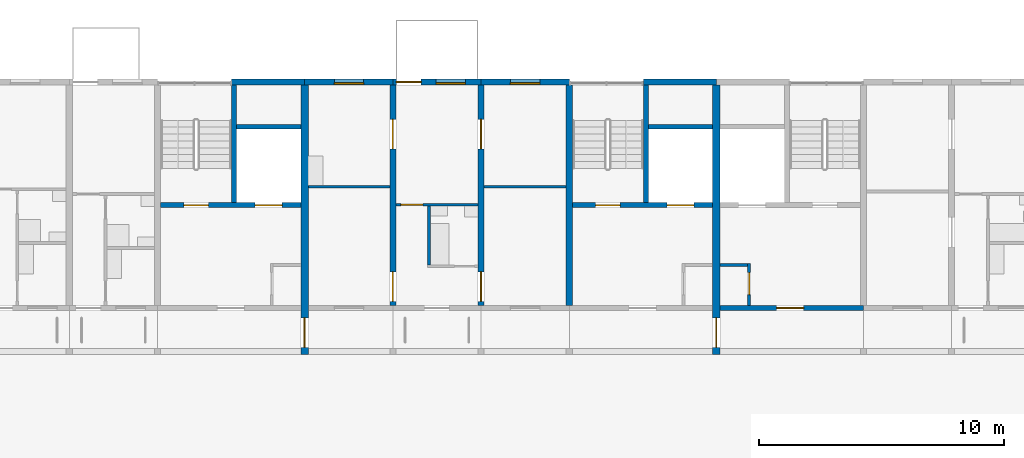
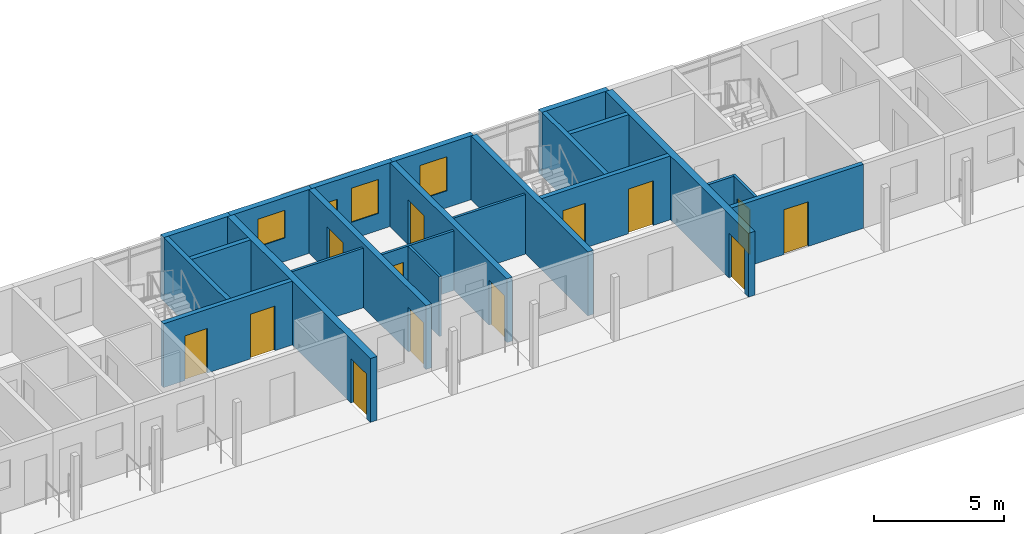
# One storey, part 45 of 115: 23 walls, 14 doors, 3 windows, 17 openings.
"""IFC4 building model written with IfcOpenShell, lengths in metres."""

import ifcopenshell
import ifcopenshell.guid

model = None  # the IFC model being written
_history = None  # IfcOwnerHistory: only IFC2X3 demands one
_inside = {}  # id of a spatial element -> (the spatial element, [elements in it])
_under = {}  # id of a project, library or spatial element -> (it, [spatial elements below it])
_declared = {}  # id of a project -> (the project, [libraries it declares])
_typed = {}  # id of a type object -> (the type object, [elements of that type])
_made_of = {}  # id of a material, layer set ... -> (it, [elements and type objects made of it])


def new_model(schema):
    """Start an empty IFC model of exactly this schema.

    Asked for "IFC4X3", IfcOpenShell would pick the latest addendum, in which some entities
    have other attributes; the version numbers below select the first issue.
    IFC2X3 requires an IfcOwnerHistory on every rooted entity: one is made here for all.
    """
    global model, _history
    if schema == "IFC4X3":
        model = ifcopenshell.file(schema_version=(4, 3, 0, 0))
    else:
        model = ifcopenshell.file(schema=schema)
    _inside.clear()
    _under.clear()
    _declared.clear()
    _typed.clear()
    _made_of.clear()
    _history = None
    if model.schema == "IFC2X3":
        org = make("IfcOrganization", Name="unknown")
        user = make(
            "IfcPersonAndOrganization",
            ThePerson=make("IfcPerson", FamilyName="unknown"),
            TheOrganization=org,
        )
        app = make(
            "IfcApplication",
            ApplicationDeveloper=org,
            Version="unknown",
            ApplicationFullName="unknown",
            ApplicationIdentifier="unknown",
        )
        _history = make(
            "IfcOwnerHistory",
            OwningUser=user,
            OwningApplication=app,
            ChangeAction="ADDED",
            CreationDate=0,
        )
    return model


def make(cls, **values):
    """One entity of the class cls with the attributes given. An attribute that is None is left unset."""
    return model.create_entity(
        cls, **{name: value for name, value in values.items() if value is not None}
    )


def rooted(cls, **values):
    """An entity with a GlobalId (a new one), such as an element, a storey or a relation."""
    return make(cls, GlobalId=ifcopenshell.guid.new(), OwnerHistory=_history, **values)


def si_unit(unit_type, name, prefix=None):
    """IfcSIUnit, for example si_unit("LENGTHUNIT", "METRE", prefix="MILLI")."""
    return make("IfcSIUnit", UnitType=unit_type, Prefix=prefix, Name=name)


def assignment(units):
    """IfcUnitAssignment: the units of a project."""
    return None if units is None else make("IfcUnitAssignment", Units=units)


def point(xyz):
    """IfcCartesianPoint."""
    return None if xyz is None else make("IfcCartesianPoint", Coordinates=xyz)


def direction(xyz):
    """IfcDirection."""
    return None if xyz is None else make("IfcDirection", DirectionRatios=xyz)


def frame(location, z_axis=None, x_axis=None):
    """IfcAxis2Placement3D, a coordinate frame: its origin and axes. An axis left out is left unset."""
    return make(
        "IfcAxis2Placement3D",
        Location=point(location),
        Axis=direction(z_axis),
        RefDirection=direction(x_axis),
    )


def frame_2d(location, x_axis=None):
    """IfcAxis2Placement2D, a coordinate frame in the plane: its origin and x axis."""
    return make(
        "IfcAxis2Placement2D", Location=point(location), RefDirection=direction(x_axis)
    )


def origin():
    """The frame at (0, 0, 0) with its axes left unset."""
    return frame((0.0, 0.0, 0.0))


def place(relative_to, where):
    """IfcLocalPlacement: puts the frame where relative to a parent placement (None: the world)."""
    return make(
        "IfcLocalPlacement", PlacementRelTo=relative_to, RelativePlacement=where
    )


def context(
    kind, dimensions, precision=None, world=None, true_north=None, identifier=None
):
    """IfcGeometricRepresentationContext, for example the 3D "Model" context."""
    return make(
        "IfcGeometricRepresentationContext",
        ContextIdentifier=identifier,
        ContextType=kind,
        CoordinateSpaceDimension=dimensions,
        Precision=precision,
        WorldCoordinateSystem=world,
        TrueNorth=true_north,
    )


def subcontext(parent, identifier, kind, view, scale=None):
    """IfcGeometricRepresentationSubContext, for example "Body" below "Model"."""
    return make(
        "IfcGeometricRepresentationSubContext",
        ContextIdentifier=identifier,
        ContextType=kind,
        ParentContext=parent,
        TargetScale=scale,
        TargetView=view,
    )


def project(units=None, contexts=None):
    """IfcProject with its units and contexts."""
    return rooted(
        "IfcProject",
        Name="project",
        RepresentationContexts=contexts,
        UnitsInContext=assignment(units),
    )


def spatial(cls, under=None, at=None, **own):
    """A site, building, storey or space (cls), placed at a placement, below another one or the project."""
    s = rooted(cls, ObjectPlacement=at, **own)
    if under is not None:
        _under.setdefault(under.id(), (under, []))[1].append(s)
    return s


def profile(cls, at=None, kind="AREA", **sizes):
    """A parametric profile (cls). Its sizes go by their IFC names, for example OverallWidth=200.0."""
    return make(cls, ProfileType=kind, Position=at, **sizes)


def rectangle(**sizes):
    """IfcRectangleProfileDef."""
    return profile("IfcRectangleProfileDef", **sizes)


def extrude(swept, where, along, depth):
    """IfcExtrudedAreaSolid: the profile swept, set in the frame where, extruded along a direction by depth."""
    return make(
        "IfcExtrudedAreaSolid",
        SweptArea=swept,
        Position=where,
        ExtrudedDirection=direction(along),
        Depth=depth,
    )


def shape(context_of_items, identifier, shape_type, items):
    """IfcShapeRepresentation: the items that make up one representation, for example the "Body"."""
    return make(
        "IfcShapeRepresentation",
        ContextOfItems=context_of_items,
        RepresentationIdentifier=identifier,
        RepresentationType=shape_type,
        Items=items,
    )


def material(Name=None, Category=None):
    """IfcMaterial."""
    return make("IfcMaterial", Name=Name, Category=Category)


def layer(
    of_material, thickness, ventilated=None, Name=None, Category=None, Priority=None
):
    """IfcMaterialLayer: one layer of a wall or slab, of a material (None: an air gap)."""
    return make(
        "IfcMaterialLayer",
        Material=of_material,
        LayerThickness=thickness,
        IsVentilated=ventilated,
        Name=Name,
        Category=Category,
        Priority=Priority,
    )


def layer_set(layers, Name=None):
    """IfcMaterialLayerSet."""
    return make("IfcMaterialLayerSet", MaterialLayers=layers, LayerSetName=Name)


def made_of(thing, what):
    """Note that an element or type object is made of a material, layer set ...; save() writes the relation."""
    if what is not None:
        _made_of.setdefault(what.id(), (what, []))[1].append(thing)
    return thing


def type_object(cls, material=None, **own):
    """A type object (cls), such as IfcWallType, which elements share."""
    return made_of(rooted(cls, **own), material)


def element(
    cls,
    number,
    at=None,
    inside=None,
    cuts=None,
    type_object=None,
    material=None,
    context=None,
    identifier="Body",
    shape_type=None,
    held_by="IfcProductDefinitionShape",
    body=None,
    shapes=None,
    **own,
):
    """One element of the class cls, such as IfcWall. Its Tag is "e" and its number.

    at: its placement. inside: the storey or other place that contains it. cuts: it is an
    opening in that element (IfcRelVoidsElement). A single representation is given by context,
    identifier, shape_type and body (its items); several are given by shapes. held_by: the class
    of the entity that holds the representations. save() writes the other relations.
    """
    e = rooted(cls, Tag="e%d" % number, ObjectPlacement=at, **own)
    if body is not None:
        shapes = [shape(context, identifier, shape_type, body)]
    if shapes is not None:
        e.Representation = make(held_by, Representations=shapes)
    if inside is not None:
        _inside.setdefault(inside.id(), (inside, []))[1].append(e)
    if cuts is not None:
        rooted(
            "IfcRelVoidsElement", RelatingBuildingElement=cuts, RelatedOpeningElement=e
        )
    if type_object is not None:
        _typed.setdefault(type_object.id(), (type_object, []))[1].append(e)
    return made_of(e, material)


def fill(opening, filler):
    """IfcRelFillsElement: the door or window that sits in an opening."""
    return rooted(
        "IfcRelFillsElement",
        RelatingOpeningElement=opening,
        RelatedBuildingElement=filler,
    )


def aggregate(whole, parts):
    """IfcRelAggregates: a whole, such as a stair, and the parts it consists of."""
    return rooted("IfcRelAggregates", RelatingObject=whole, RelatedObjects=parts)


def save(model, path):
    """Write the relations noted so far, then the file.

    IfcRelAggregates (storeys below a building ...), IfcRelContainedInSpatialStructure (elements
    in a storey), IfcRelDefinesByType, IfcRelAssociatesMaterial and IfcRelDeclares: one each for
    every whole, place, type object, material and project.
    """
    for whole, parts in _under.values():
        aggregate(whole, parts)
    for where, things in _inside.values():
        rooted(
            "IfcRelContainedInSpatialStructure",
            RelatedElements=things,
            RelatingStructure=where,
        )
    for kind, things in _typed.values():
        rooted("IfcRelDefinesByType", RelatedObjects=things, RelatingType=kind)
    for what, things in _made_of.values():
        rooted("IfcRelAssociatesMaterial", RelatedObjects=things, RelatingMaterial=what)
    for by, libraries in _declared.values():
        rooted("IfcRelDeclares", RelatingContext=by, RelatedDefinitions=libraries)
    model.write(path)


model = new_model("IFC4")

# Units and contexts
model_context = context("Model", 3, precision=1e-05, world=origin(), true_north=direction((0.0, 1.0)))
body_context = subcontext(model_context, "Body", "Model", "MODEL_VIEW")
ifc_project = project(units=[si_unit("LENGTHUNIT", "METRE"), si_unit("AREAUNIT", "SQUARE_METRE"), si_unit("VOLUMEUNIT", "CUBIC_METRE"), si_unit("PLANEANGLEUNIT", "RADIAN"), si_unit("MASSUNIT", "GRAM", prefix="KILO")], contexts=[model_context])

# Site, building, storey
site_placement = place(None, origin())
site = spatial("IfcSite", under=ifc_project, at=site_placement, CompositionType="ELEMENT")
building_placement = place(site_placement, origin())
building = spatial("IfcBuilding", under=site, at=building_placement, Name="Ridgestep Commons", CompositionType="ELEMENT")
storey_placement = place(building_placement, frame((0.0, 0.0, 6.0)))
storey = spatial("IfcBuildingStorey", under=building, at=storey_placement, Name="L02", CompositionType="ELEMENT", Elevation=6.0)

# Wall
ifc_material_1 = material(Name="Concrete C30/37", Category="concrete")
ifc_layer_1 = layer(ifc_material_1, 0.25)
ifc_layer_set_1 = layer_set([ifc_layer_1], Name="Core cross wall 250")
wall_type_1 = type_object("IfcWallType", Name="Core cross wall 250", PredefinedType="SHEAR", material=ifc_layer_set_1)
wall_1_placement = place(storey_placement, frame((90.0, 13.75, 0.0), z_axis=(0.0, 0.0, 1.0), x_axis=(0.0, 1.0, 0.0)))
element("IfcWall", 1, at=wall_1_placement, inside=storey, type_object=wall_type_1, Name="Cross wall A-02-0900", PredefinedType="SHEAR", context=body_context, shape_type="SweptSolid", body=[
    extrude(rectangle(XDim=9.0, YDim=0.25, at=frame_2d((4.5, 0.0))), origin(), (0.0, 0.0, 1.0), 3.0),
])

# Wall, opening, door
ifc_material_2 = material(Name="Concrete C30/37", Category="concrete")
ifc_layer_2 = layer(ifc_material_2, 0.199951171875)
ifc_layer_set_2 = layer_set([ifc_layer_2], Name="Core south wall 200")
wall_type_2 = type_object("IfcWallType", Name="Core south wall 200", PredefinedType="SHEAR", material=ifc_layer_set_2)
wall_2_placement = place(storey_placement, frame((96.14990234375, 13.64990234375, 0.0), z_axis=(0.0, 0.0, 1.0), x_axis=(1.0, 0.0, 0.0)))
wall_2 = element("IfcWall", 2, at=wall_2_placement, inside=storey, type_object=wall_type_2, Name="Core south wall A6C L02", PredefinedType="SHEAR", context=body_context, shape_type="SweptSolid", body=[
    extrude(rectangle(XDim=5.85009765625, YDim=0.199951171875, at=frame_2d((2.925048828125, 0.0))), origin(), (0.0, 0.0, 1.0), 3.0),
])
opening_1_placement = place(wall_2_placement, frame((2.3125, 0.0, 0.0)))
opening_1 = element("IfcOpeningElement", 3, at=opening_1_placement, cuts=wall_2, Name="Opening A6C/02/1", PredefinedType="OPENING", context=body_context, shape_type="SweptSolid", body=[
    extrude(rectangle(XDim=1.10009765625, YDim=2.10009765625, at=frame_2d((0.550048828125, 1.050048828125))), frame((0.0, 0.10986328125, 0.0), z_axis=(0.0, -1.0, 0.0), x_axis=(1.0, 0.0, 0.0)), (0.0, 0.0, 1.0), 0.219970703125),
])
ifc_material_3 = material(Name="Steel fire door", Category="steel")
door_type_1 = type_object("IfcDoorType", Name="Lobby door 1100 x 2100 FD60", OperationType="NOTDEFINED", PredefinedType="DOOR", material=ifc_material_3)
door_1_placement = place(opening_1_placement, origin())
door_1 = element("IfcDoor", 4, at=door_1_placement, inside=storey, type_object=door_type_1, Name="Lobby door A6C/02/1", OperationType="SINGLE_SWING_LEFT", OverallHeight=2.10009765625, OverallWidth=1.10009765625, PredefinedType="DOOR", context=body_context, shape_type="SweptSolid", body=[
    extrude(rectangle(XDim=1.10009765625, YDim=2.10009765625, at=frame_2d((0.550048828125, 1.050048828125))), frame((0.0, 0.02490234375, 0.0), z_axis=(0.0, -1.0, 0.0), x_axis=(1.0, 0.0, 0.0)), (0.0, 0.0, 1.0), 0.050048828125),
])
fill(opening_1, door_1)

ifc_material_4 = material(Name="Concrete C30/37", Category="concrete")
ifc_layer_3 = layer(ifc_material_4, 0.1201171875)
ifc_layer_set_3 = layer_set([ifc_layer_3], Name="Core wall 120")
wall_type_3 = type_object("IfcWallType", Name="Core wall 120", PredefinedType="SHEAR", material=ifc_layer_set_3)
wall_3_placement = place(storey_placement, frame((97.340087890625, 13.75, 0.0), z_axis=(0.0, 0.0, 1.0), x_axis=(0.0, 1.0, 0.0)))
wall_3 = element("IfcWall", 5, at=wall_3_placement, inside=storey, type_object=wall_type_3, Name="Core riser w wall A6C L02", PredefinedType="SHEAR", context=body_context, shape_type="SweptSolid", body=[
    extrude(rectangle(XDim=1.719970703125, YDim=0.1201171875, at=frame_2d((0.85986328125, 0.0))), origin(), (0.0, 0.0, 1.0), 3.0),
])
opening_2_placement = place(wall_3_placement, frame((0.449951171875, 0.0, 0.0)))
opening_2 = element("IfcOpeningElement", 6, at=opening_2_placement, cuts=wall_3, Name="Opening A6C/02/4", PredefinedType="OPENING", context=body_context, shape_type="SweptSolid", body=[
    extrude(rectangle(XDim=0.89990234375, YDim=2.10009765625, at=frame_2d((0.449951171875, 1.050048828125))), frame((0.0, 0.070068359375, 0.0), z_axis=(0.0, -1.0, 0.0), x_axis=(1.0, 0.0, 0.0)), (0.0, 0.0, 1.0), 0.14013671875),
])
ifc_material_5 = material(Name="Steel fire door", Category="steel")
door_type_2 = type_object("IfcDoorType", Name="Riser door 900 x 2100 FD60", OperationType="NOTDEFINED", PredefinedType="DOOR", material=ifc_material_5)
door_2_placement = place(opening_2_placement, origin())
door_2 = element("IfcDoor", 7, at=door_2_placement, inside=storey, type_object=door_type_2, Name="Riser door A6C/02/4", OperationType="SINGLE_SWING_RIGHT", OverallHeight=2.10009765625, OverallWidth=0.89990234375, PredefinedType="DOOR", context=body_context, shape_type="SweptSolid", body=[
    extrude(rectangle(XDim=0.89990234375, YDim=2.10009765625, at=frame_2d((0.449951171875, 1.050048828125))), frame((0.0, 0.02490234375, 0.0), z_axis=(0.0, -1.0, 0.0), x_axis=(1.0, 0.0, 0.0)), (0.0, 0.0, 1.0), 0.050048828125),
])
fill(opening_2, door_2)

# Wall
wall_4_placement = place(storey_placement, frame((96.14990234375, 15.409912109375, 0.0), z_axis=(0.0, 0.0, 1.0), x_axis=(1.0, 0.0, 0.0)))
element("IfcWall", 8, at=wall_4_placement, inside=storey, type_object=wall_type_3, Name="Core riser n wall A6C L02", PredefinedType="SHEAR", context=body_context, shape_type="SweptSolid", body=[
    extrude(rectangle(XDim=1.130126953125, YDim=0.1201171875, at=frame_2d((0.56494140625, 0.0))), origin(), (0.0, 0.0, 1.0), 3.0),
])

# Wall, openings, doors
ifc_material_6 = material(Name="Concrete C30/37", Category="concrete")
ifc_layer_4 = layer(ifc_material_6, 0.199951171875)
ifc_layer_set_4 = layer_set([ifc_layer_4], Name="Core wall 200")
wall_type_4 = type_object("IfcWallType", Name="Core wall 200", PredefinedType="SHEAR", material=ifc_layer_set_4)
wall_5_placement = place(storey_placement, frame((73.324951171875, 17.85009765625, 0.0), z_axis=(0.0, 0.0, 1.0), x_axis=(1.0, 0.0, 0.0)))
wall_5 = element("IfcWall", 9, at=wall_5_placement, inside=storey, type_object=wall_type_4, Name="Core lobby wall A4C L02", PredefinedType="SHEAR", context=body_context, shape_type="SweptSolid", body=[
    extrude(rectangle(XDim=5.72509765625, YDim=0.199951171875, at=frame_2d((2.862548828125, 0.0))), origin(), (0.0, 0.0, 1.0), 3.0),
])
opening_3_placement = place(wall_5_placement, frame((0.949951171875, 0.0, 0.0)))
opening_3 = element("IfcOpeningElement", 10, at=opening_3_placement, cuts=wall_5, Name="Opening A4C/02/2", PredefinedType="OPENING", context=body_context, shape_type="SweptSolid", body=[
    extrude(rectangle(XDim=1.0, YDim=2.10009765625, at=frame_2d((0.5, 1.050048828125))), frame((0.0, 0.10986328125, 0.0), z_axis=(0.0, -1.0, 0.0), x_axis=(1.0, 0.0, 0.0)), (0.0, 0.0, 1.0), 0.219970703125),
])
opening_4_placement = place(wall_5_placement, frame((3.862548828125, 0.0, 0.0)))
opening_4 = element("IfcOpeningElement", 11, at=opening_4_placement, cuts=wall_5, Name="Opening A4C/02/3", PredefinedType="OPENING", context=body_context, shape_type="SweptSolid", body=[
    extrude(rectangle(XDim=1.10009765625, YDim=2.10009765625, at=frame_2d((0.550048828125, 1.050048828125))), frame((0.0, 0.10986328125, 0.0), z_axis=(0.0, -1.0, 0.0), x_axis=(1.0, 0.0, 0.0)), (0.0, 0.0, 1.0), 0.219970703125),
])
ifc_material_7 = material(Name="Stainless steel", Category="steel")
door_type_3 = type_object("IfcDoorType", Name="Lift landing door 1100 x 2100 FD60", OperationType="DOUBLE_DOOR_SLIDING", PredefinedType="DOOR", material=ifc_material_7)
door_3_placement = place(opening_4_placement, origin())
door_3 = element("IfcDoor", 12, at=door_3_placement, inside=storey, type_object=door_type_3, Name="Landing door LD A4C L02", OperationType="DOUBLE_DOOR_SLIDING", OverallHeight=2.10009765625, OverallWidth=1.10009765625, PredefinedType="DOOR", context=body_context, shape_type="SweptSolid", body=[
    extrude(rectangle(XDim=1.10009765625, YDim=2.10009765625, at=frame_2d((0.550048828125, 1.050048828125))), frame((0.0, 0.02490234375, 0.0), z_axis=(0.0, -1.0, 0.0), x_axis=(1.0, 0.0, 0.0)), (0.0, 0.0, 1.0), 0.050048828125),
])
fill(opening_4, door_3)
ifc_material_8 = material(Name="Steel fire door", Category="steel")
door_type_4 = type_object("IfcDoorType", Name="Stair door 1000 x 2100 FD60", OperationType="NOTDEFINED", PredefinedType="DOOR", material=ifc_material_8)
door_4_placement = place(opening_3_placement, origin())
door_4 = element("IfcDoor", 13, at=door_4_placement, inside=storey, type_object=door_type_4, Name="Stair door A4C/02/2", OperationType="SINGLE_SWING_RIGHT", OverallHeight=2.10009765625, OverallWidth=1.0, PredefinedType="DOOR", context=body_context, shape_type="SweptSolid", body=[
    extrude(rectangle(XDim=1.0, YDim=2.10009765625, at=frame_2d((0.5, 1.050048828125))), frame((0.0, 0.02490234375, 0.0), z_axis=(0.0, -1.0, 0.0), x_axis=(1.0, 0.0, 0.0)), (0.0, 0.0, 1.0), 0.050048828125),
])
fill(opening_3, door_4)

# Walls
wall_6_placement = place(storey_placement, frame((76.324951171875, 17.949951171875, 0.0), z_axis=(0.0, 0.0, 1.0), x_axis=(0.0, 1.0, 0.0)))
element("IfcWall", 14, at=wall_6_placement, inside=storey, type_object=wall_type_4, Name="Core stair wall A4C L02", PredefinedType="SHEAR", context=body_context, shape_type="SweptSolid", body=[
    extrude(rectangle(XDim=4.800048828125, YDim=0.199951171875, at=frame_2d((2.39990234375, 0.0))), origin(), (0.0, 0.0, 1.0), 3.0),
])
wall_7_placement = place(storey_placement, frame((76.425048828125, 21.050048828125, 0.0), z_axis=(0.0, 0.0, 1.0), x_axis=(1.0, 0.0, 0.0)))
element("IfcWall", 15, at=wall_7_placement, inside=storey, type_object=wall_type_4, Name="Core duct wall A4C L02", PredefinedType="SHEAR", context=body_context, shape_type="SweptSolid", body=[
    extrude(rectangle(XDim=2.625, YDim=0.199951171875, at=frame_2d((1.3125, 0.0))), origin(), (0.0, 0.0, 1.0), 3.0),
])

# Wall, openings, doors
wall_8_placement = place(storey_placement, frame((90.125, 17.85009765625, 0.0), z_axis=(0.0, 0.0, 1.0), x_axis=(1.0, 0.0, 0.0)))
wall_8 = element("IfcWall", 16, at=wall_8_placement, inside=storey, type_object=wall_type_4, Name="Core lobby wall A5C L02", PredefinedType="SHEAR", context=body_context, shape_type="SweptSolid", body=[
    extrude(rectangle(XDim=5.72509765625, YDim=0.199951171875, at=frame_2d((2.862548828125, 0.0))), origin(), (0.0, 0.0, 1.0), 3.0),
])
opening_5_placement = place(wall_8_placement, frame((0.949951171875, 0.0, 0.0)))
opening_5 = element("IfcOpeningElement", 17, at=opening_5_placement, cuts=wall_8, Name="Opening A5C/02/2", PredefinedType="OPENING", context=body_context, shape_type="SweptSolid", body=[
    extrude(rectangle(XDim=1.0, YDim=2.10009765625, at=frame_2d((0.5, 1.050048828125))), frame((0.0, 0.10986328125, 0.0), z_axis=(0.0, -1.0, 0.0), x_axis=(1.0, 0.0, 0.0)), (0.0, 0.0, 1.0), 0.219970703125),
])
opening_6_placement = place(wall_8_placement, frame((3.862548828125, 0.0, 0.0)))
opening_6 = element("IfcOpeningElement", 18, at=opening_6_placement, cuts=wall_8, Name="Opening A5C/02/3", PredefinedType="OPENING", context=body_context, shape_type="SweptSolid", body=[
    extrude(rectangle(XDim=1.10009765625, YDim=2.10009765625, at=frame_2d((0.550048828125, 1.050048828125))), frame((0.0, 0.10986328125, 0.0), z_axis=(0.0, -1.0, 0.0), x_axis=(1.0, 0.0, 0.0)), (0.0, 0.0, 1.0), 0.219970703125),
])
door_5_placement = place(opening_6_placement, origin())
door_5 = element("IfcDoor", 19, at=door_5_placement, inside=storey, type_object=door_type_3, Name="Landing door LD A5C L02", OperationType="DOUBLE_DOOR_SLIDING", OverallHeight=2.10009765625, OverallWidth=1.10009765625, PredefinedType="DOOR", context=body_context, shape_type="SweptSolid", body=[
    extrude(rectangle(XDim=1.10009765625, YDim=2.10009765625, at=frame_2d((0.550048828125, 1.050048828125))), frame((0.0, 0.02490234375, 0.0), z_axis=(0.0, -1.0, 0.0), x_axis=(1.0, 0.0, 0.0)), (0.0, 0.0, 1.0), 0.050048828125),
])
fill(opening_6, door_5)
door_6_placement = place(opening_5_placement, origin())
door_6 = element("IfcDoor", 20, at=door_6_placement, inside=storey, type_object=door_type_4, Name="Stair door A5C/02/2", OperationType="SINGLE_SWING_RIGHT", OverallHeight=2.10009765625, OverallWidth=1.0, PredefinedType="DOOR", context=body_context, shape_type="SweptSolid", body=[
    extrude(rectangle(XDim=1.0, YDim=2.10009765625, at=frame_2d((0.5, 1.050048828125))), frame((0.0, 0.02490234375, 0.0), z_axis=(0.0, -1.0, 0.0), x_axis=(1.0, 0.0, 0.0)), (0.0, 0.0, 1.0), 0.050048828125),
])
fill(opening_5, door_6)

# Walls
wall_9_placement = place(storey_placement, frame((93.125, 17.949951171875, 0.0), z_axis=(0.0, 0.0, 1.0), x_axis=(0.0, 1.0, 0.0)))
element("IfcWall", 21, at=wall_9_placement, inside=storey, type_object=wall_type_4, Name="Core stair wall A5C L02", PredefinedType="SHEAR", context=body_context, shape_type="SweptSolid", body=[
    extrude(rectangle(XDim=4.800048828125, YDim=0.199951171875, at=frame_2d((2.39990234375, 0.0))), origin(), (0.0, 0.0, 1.0), 3.0),
])
wall_10_placement = place(storey_placement, frame((93.22509765625, 21.050048828125, 0.0), z_axis=(0.0, 0.0, 1.0), x_axis=(1.0, 0.0, 0.0)))
element("IfcWall", 22, at=wall_10_placement, inside=storey, type_object=wall_type_4, Name="Core duct wall A5C L02", PredefinedType="SHEAR", context=body_context, shape_type="SweptSolid", body=[
    extrude(rectangle(XDim=2.625, YDim=0.199951171875, at=frame_2d((1.3125, 0.0))), origin(), (0.0, 0.0, 1.0), 3.0),
])

# Wall, openings, doors
ifc_material_9 = material(Name="Precast concrete C40/50", Category="concrete")
ifc_layer_5 = layer(ifc_material_9, 0.25)
ifc_layer_set_5 = layer_set([ifc_layer_5], Name="Cross wall 250")
wall_type_5 = type_object("IfcWallType", Name="Cross wall 250", PredefinedType="SHEAR", material=ifc_layer_set_5)
wall_11_placement = place(storey_placement, frame((82.800048828125, 13.75, 0.0), z_axis=(0.0, 0.0, 1.0), x_axis=(0.0, 1.0, 0.0)))
wall_11 = element("IfcWall", 23, at=wall_11_placement, inside=storey, type_object=wall_type_5, Name="Cross wall A-02-0828", PredefinedType="SHEAR", context=body_context, shape_type="SweptSolid", body=[
    extrude(rectangle(XDim=9.0, YDim=0.25, at=frame_2d((4.5, 0.0))), origin(), (0.0, 0.0, 1.0), 3.0),
])
opening_7_placement = place(wall_11_placement, frame((0.175048828125, 0.0, 0.0)))
opening_7 = element("IfcOpeningElement", 24, at=opening_7_placement, cuts=wall_11, Name="Opening A5-02a/4", PredefinedType="OPENING", context=body_context, shape_type="SweptSolid", body=[
    extrude(rectangle(XDim=1.199951171875, YDim=2.10009765625, at=frame_2d((0.60009765625, 1.050048828125))), frame((0.0, 0.135009765625, 0.0), z_axis=(0.0, -1.0, 0.0), x_axis=(1.0, 0.0, 0.0)), (0.0, 0.0, 1.0), 0.27001953125),
])
opening_8_placement = place(wall_11_placement, frame((6.39990234375, 0.0, 0.0)))
opening_8 = element("IfcOpeningElement", 25, at=opening_8_placement, cuts=wall_11, Name="Opening A5-02a/5", PredefinedType="OPENING", context=body_context, shape_type="SweptSolid", body=[
    extrude(rectangle(XDim=1.199951171875, YDim=2.10009765625, at=frame_2d((0.60009765625, 1.050048828125))), frame((0.0, 0.135009765625, 0.0), z_axis=(0.0, -1.0, 0.0), x_axis=(1.0, 0.0, 0.0)), (0.0, 0.0, 1.0), 0.27001953125),
])
ifc_material_10 = material(Name="Timber door leaf", Category="wood")
door_type_5 = type_object("IfcDoorType", Name="Double door 1200 x 2100", OperationType="DOUBLE_DOOR_SINGLE_SWING", PredefinedType="DOOR", material=ifc_material_10)
door_7_placement = place(opening_7_placement, origin())
door_7 = element("IfcDoor", 26, at=door_7_placement, inside=storey, type_object=door_type_5, Name="Double door A5-02a/4", OperationType="DOUBLE_DOOR_SINGLE_SWING", OverallHeight=2.10009765625, OverallWidth=1.199951171875, PredefinedType="DOOR", context=body_context, shape_type="SweptSolid", body=[
    extrude(rectangle(XDim=1.199951171875, YDim=2.10009765625, at=frame_2d((0.60009765625, 1.050048828125))), frame((0.0, 0.02490234375, 0.0), z_axis=(0.0, -1.0, 0.0), x_axis=(1.0, 0.0, 0.0)), (0.0, 0.0, 1.0), 0.050048828125),
])
fill(opening_7, door_7)
door_8_placement = place(opening_8_placement, origin())
door_8 = element("IfcDoor", 27, at=door_8_placement, inside=storey, type_object=door_type_5, Name="Double door A5-02a/5", OperationType="DOUBLE_DOOR_SINGLE_SWING", OverallHeight=2.10009765625, OverallWidth=1.199951171875, PredefinedType="DOOR", context=body_context, shape_type="SweptSolid", body=[
    extrude(rectangle(XDim=1.199951171875, YDim=2.10009765625, at=frame_2d((0.60009765625, 1.050048828125))), frame((0.0, 0.02490234375, 0.0), z_axis=(0.0, -1.0, 0.0), x_axis=(1.0, 0.0, 0.0)), (0.0, 0.0, 1.0), 0.050048828125),
])
fill(opening_8, door_8)

wall_12_placement = place(storey_placement, frame((86.39990234375, 13.75, 0.0), z_axis=(0.0, 0.0, 1.0), x_axis=(0.0, 1.0, 0.0)))
wall_12 = element("IfcWall", 28, at=wall_12_placement, inside=storey, type_object=wall_type_5, Name="Cross wall A-02-0864", PredefinedType="SHEAR", context=body_context, shape_type="SweptSolid", body=[
    extrude(rectangle(XDim=9.0, YDim=0.25, at=frame_2d((4.5, 0.0))), origin(), (0.0, 0.0, 1.0), 3.0),
])
opening_9_placement = place(wall_12_placement, frame((0.175048828125, 0.0, 0.0)))
opening_9 = element("IfcOpeningElement", 29, at=opening_9_placement, cuts=wall_12, Name="Opening A5-02a/6", PredefinedType="OPENING", context=body_context, shape_type="SweptSolid", body=[
    extrude(rectangle(XDim=1.199951171875, YDim=2.10009765625, at=frame_2d((0.60009765625, 1.050048828125))), frame((0.0, 0.135009765625, 0.0), z_axis=(0.0, -1.0, 0.0), x_axis=(1.0, 0.0, 0.0)), (0.0, 0.0, 1.0), 0.27001953125),
])
opening_10_placement = place(wall_12_placement, frame((6.39990234375, 0.0, 0.0)))
opening_10 = element("IfcOpeningElement", 30, at=opening_10_placement, cuts=wall_12, Name="Opening A5-02a/7", PredefinedType="OPENING", context=body_context, shape_type="SweptSolid", body=[
    extrude(rectangle(XDim=1.199951171875, YDim=2.10009765625, at=frame_2d((0.60009765625, 1.050048828125))), frame((0.0, 0.135009765625, 0.0), z_axis=(0.0, -1.0, 0.0), x_axis=(1.0, 0.0, 0.0)), (0.0, 0.0, 1.0), 0.27001953125),
])
door_9_placement = place(opening_9_placement, origin())
door_9 = element("IfcDoor", 31, at=door_9_placement, inside=storey, type_object=door_type_5, Name="Double door A5-02a/6", OperationType="DOUBLE_DOOR_SINGLE_SWING", OverallHeight=2.10009765625, OverallWidth=1.199951171875, PredefinedType="DOOR", context=body_context, shape_type="SweptSolid", body=[
    extrude(rectangle(XDim=1.199951171875, YDim=2.10009765625, at=frame_2d((0.60009765625, 1.050048828125))), frame((0.0, 0.02490234375, 0.0), z_axis=(0.0, -1.0, 0.0), x_axis=(1.0, 0.0, 0.0)), (0.0, 0.0, 1.0), 0.050048828125),
])
fill(opening_9, door_9)
door_10_placement = place(opening_10_placement, origin())
door_10 = element("IfcDoor", 32, at=door_10_placement, inside=storey, type_object=door_type_5, Name="Double door A5-02a/7", OperationType="DOUBLE_DOOR_SINGLE_SWING", OverallHeight=2.10009765625, OverallWidth=1.199951171875, PredefinedType="DOOR", context=body_context, shape_type="SweptSolid", body=[
    extrude(rectangle(XDim=1.199951171875, YDim=2.10009765625, at=frame_2d((0.60009765625, 1.050048828125))), frame((0.0, 0.02490234375, 0.0), z_axis=(0.0, -1.0, 0.0), x_axis=(1.0, 0.0, 0.0)), (0.0, 0.0, 1.0), 0.050048828125),
])
fill(opening_10, door_10)

# Wall, opening, door
ifc_material_11 = material(Name="Precast concrete C40/50", Category="concrete")
ifc_layer_6 = layer(ifc_material_11, 0.300048828125)
ifc_layer_set_6 = layer_set([ifc_layer_6], Name="Division wall 300")
wall_type_6 = type_object("IfcWallType", Name="Division wall 300", PredefinedType="SHEAR", material=ifc_layer_set_6)
wall_13_placement = place(storey_placement, frame((79.199951171875, 11.75, 0.0), z_axis=(0.0, 0.0, 1.0), x_axis=(0.0, 1.0, 0.0)))
wall_13 = element("IfcWall", 33, at=wall_13_placement, inside=storey, type_object=wall_type_6, Name="Cross wall A-02-0792", PredefinedType="SHEAR", context=body_context, shape_type="SweptSolid", body=[
    extrude(rectangle(XDim=11.0, YDim=0.300048828125, at=frame_2d((5.5, 0.0))), origin(), (0.0, 0.0, 1.0), 3.0),
])
opening_11_placement = place(wall_13_placement, frame((0.300048828125, 0.0, 0.0)))
opening_11 = element("IfcOpeningElement", 34, at=opening_11_placement, cuts=wall_13, Name="Opening A/02/G0792", PredefinedType="OPENING", context=body_context, shape_type="SweptSolid", body=[
    extrude(rectangle(XDim=1.199951171875, YDim=2.10009765625, at=frame_2d((0.60009765625, 1.050048828125))), frame((0.0, 0.159912109375, 0.0), z_axis=(0.0, -1.0, 0.0), x_axis=(1.0, 0.0, 0.0)), (0.0, 0.0, 1.0), 0.320068359375),
])
ifc_material_12 = material(Name="Steel fire door", Category="steel")
door_type_6 = type_object("IfcDoorType", Name="Division fire door 1200 x 2100 EI 240", OperationType="DOUBLE_DOOR_SINGLE_SWING", PredefinedType="DOOR", material=ifc_material_12)
door_11_placement = place(opening_11_placement, origin())
door_11 = element("IfcDoor", 35, at=door_11_placement, inside=storey, type_object=door_type_6, Name="Division fire door A/02/G0792", OperationType="DOUBLE_DOOR_SINGLE_SWING", OverallHeight=2.10009765625, OverallWidth=1.199951171875, PredefinedType="DOOR", context=body_context, shape_type="SweptSolid", body=[
    extrude(rectangle(XDim=1.199951171875, YDim=2.10009765625, at=frame_2d((0.60009765625, 1.050048828125))), frame((0.0, 0.02490234375, 0.0), z_axis=(0.0, -1.0, 0.0), x_axis=(1.0, 0.0, 0.0)), (0.0, 0.0, 1.0), 0.050048828125),
])
fill(opening_11, door_11)

wall_14_placement = place(storey_placement, frame((96.0, 11.75, 0.0), z_axis=(0.0, 0.0, 1.0), x_axis=(0.0, 1.0, 0.0)))
wall_14 = element("IfcWall", 36, at=wall_14_placement, inside=storey, type_object=wall_type_6, Name="Cross wall A-02-0960", PredefinedType="SHEAR", context=body_context, shape_type="SweptSolid", body=[
    extrude(rectangle(XDim=11.0, YDim=0.300048828125, at=frame_2d((5.5, 0.0))), origin(), (0.0, 0.0, 1.0), 3.0),
])
opening_12_placement = place(wall_14_placement, frame((0.300048828125, 0.0, 0.0)))
opening_12 = element("IfcOpeningElement", 37, at=opening_12_placement, cuts=wall_14, Name="Opening A/02/G0960", PredefinedType="OPENING", context=body_context, shape_type="SweptSolid", body=[
    extrude(rectangle(XDim=1.199951171875, YDim=2.10009765625, at=frame_2d((0.60009765625, 1.050048828125))), frame((0.0, 0.159912109375, 0.0), z_axis=(0.0, -1.0, 0.0), x_axis=(1.0, 0.0, 0.0)), (0.0, 0.0, 1.0), 0.320068359375),
])
door_12_placement = place(opening_12_placement, origin())
door_12 = element("IfcDoor", 38, at=door_12_placement, inside=storey, type_object=door_type_6, Name="Division fire door A/02/G0960", OperationType="DOUBLE_DOOR_SINGLE_SWING", OverallHeight=2.10009765625, OverallWidth=1.199951171875, PredefinedType="DOOR", context=body_context, shape_type="SweptSolid", body=[
    extrude(rectangle(XDim=1.199951171875, YDim=2.10009765625, at=frame_2d((0.60009765625, 1.050048828125))), frame((0.0, 0.02490234375, 0.0), z_axis=(0.0, -1.0, 0.0), x_axis=(1.0, 0.0, 0.0)), (0.0, 0.0, 1.0), 0.050048828125),
])
fill(opening_12, door_12)

# Wall
ifc_material_13 = material(Name="Precast concrete C40/50", Category="concrete")
ifc_layer_7 = layer(ifc_material_13, 0.25)
ifc_layer_set_7 = layer_set([ifc_layer_7], Name="North facade panel 250")
wall_type_7 = type_object("IfcWallType", Name="North facade panel 250", PredefinedType="SOLIDWALL", material=ifc_layer_set_7)
wall_15_placement = place(storey_placement, frame((76.22509765625, 22.875, 0.0), z_axis=(0.0, 0.0, 1.0), x_axis=(1.0, 0.0, 0.0)))
element("IfcWall", 39, at=wall_15_placement, inside=storey, type_object=wall_type_7, Name="North panel A4C L02", PredefinedType="SOLIDWALL", context=body_context, shape_type="SweptSolid", body=[
    extrude(rectangle(XDim=2.974853515625, YDim=0.25, at=frame_2d((1.4873046875, 0.0))), origin(), (0.0, 0.0, 1.0), 3.0),
])

# Wall, opening, window
wall_16_placement = place(storey_placement, frame((79.199951171875, 22.875, 0.0), z_axis=(0.0, 0.0, 1.0), x_axis=(1.0, 0.0, 0.0)))
wall_16 = element("IfcWall", 40, at=wall_16_placement, inside=storey, type_object=wall_type_7, Name="North panel A5T1 L02", PredefinedType="SOLIDWALL", context=body_context, shape_type="SweptSolid", body=[
    extrude(rectangle(XDim=3.60009765625, YDim=0.25, at=frame_2d((1.800048828125, 0.0))), origin(), (0.0, 0.0, 1.0), 3.0),
])
opening_13_placement = place(wall_16_placement, frame((1.21240234375, 0.0, 1.10009765625)))
opening_13 = element("IfcOpeningElement", 41, at=opening_13_placement, cuts=wall_16, Name="Opening W08", PredefinedType="OPENING", context=body_context, shape_type="SweptSolid", body=[
    extrude(rectangle(XDim=1.199951171875, YDim=1.300048828125, at=frame_2d((0.60009765625, 0.64990234375))), frame((0.0, 0.135009765625, 0.0), z_axis=(0.0, -1.0, 0.0), x_axis=(1.0, 0.0, 0.0)), (0.0, 0.0, 1.0), 0.27001953125),
])
ifc_material_14 = material(Name="Aluminium 6063-T6 and glass", Category="aluminium")
window_type_1 = type_object("IfcWindowType", Name="Flat window 1200 x 1300", PartitioningType="SINGLE_PANEL", PredefinedType="WINDOW", material=ifc_material_14)
window_1_placement = place(opening_13_placement, origin())
window_1 = element("IfcWindow", 42, at=window_1_placement, inside=storey, type_object=window_type_1, Name="Window A5-02a 2", OverallHeight=1.300048828125, OverallWidth=1.199951171875, PartitioningType="SINGLE_PANEL", PredefinedType="WINDOW", context=body_context, shape_type="SweptSolid", body=[
    extrude(rectangle(XDim=1.199951171875, YDim=1.300048828125, at=frame_2d((0.60009765625, 0.64990234375))), frame((0.0, -0.02490234375, 0.0), z_axis=(0.0, -1.0, 0.0), x_axis=(1.0, 0.0, 0.0)), (0.0, 0.0, 1.0), 0.06005859375),
])
fill(opening_13, window_1)

# Wall, openings, door, window
wall_17_placement = place(storey_placement, frame((82.800048828125, 22.875, 0.0), z_axis=(0.0, 0.0, 1.0), x_axis=(1.0, 0.0, 0.0)))
wall_17 = element("IfcWall", 43, at=wall_17_placement, inside=storey, type_object=wall_type_7, Name="North panel A5T2 L02", PredefinedType="SOLIDWALL", context=body_context, shape_type="SweptSolid", body=[
    extrude(rectangle(XDim=3.599853515625, YDim=0.25, at=frame_2d((1.7998046875, 0.0))), origin(), (0.0, 0.0, 1.0), 3.0),
])
opening_14_placement = place(wall_17_placement, frame((1.762451171875, 0.0, 0.800048828125)))
opening_14 = element("IfcOpeningElement", 44, at=opening_14_placement, cuts=wall_17, Name="Opening W11", PredefinedType="OPENING", context=body_context, shape_type="SweptSolid", body=[
    extrude(rectangle(XDim=1.199951171875, YDim=1.60009765625, at=frame_2d((0.60009765625, 0.800048828125))), frame((0.0, 0.135009765625, 0.0), z_axis=(0.0, -1.0, 0.0), x_axis=(1.0, 0.0, 0.0)), (0.0, 0.0, 1.0), 0.27001953125),
])
opening_15_placement = place(wall_17_placement, frame((0.14990234375, 0.0, 0.0)))
opening_15 = element("IfcOpeningElement", 45, at=opening_15_placement, cuts=wall_17, Name="Opening A5-02a/8", PredefinedType="OPENING", context=body_context, shape_type="SweptSolid", body=[
    extrude(rectangle(XDim=1.0, YDim=2.10009765625, at=frame_2d((0.5, 1.050048828125))), frame((0.0, 0.135009765625, 0.0), z_axis=(0.0, -1.0, 0.0), x_axis=(1.0, 0.0, 0.0)), (0.0, 0.0, 1.0), 0.27001953125),
])
ifc_material_15 = material(Name="Aluminium and glass", Category="aluminium")
door_type_7 = type_object("IfcDoorType", Name="Balcony door 1000 x 2100", OperationType="NOTDEFINED", PredefinedType="DOOR", material=ifc_material_15)
door_13_placement = place(opening_15_placement, origin())
door_13 = element("IfcDoor", 46, at=door_13_placement, inside=storey, type_object=door_type_7, Name="Balcony door A5-02a/8", OperationType="SINGLE_SWING_RIGHT", OverallHeight=2.10009765625, OverallWidth=1.0, PredefinedType="DOOR", context=body_context, shape_type="SweptSolid", body=[
    extrude(rectangle(XDim=1.0, YDim=2.10009765625, at=frame_2d((0.5, 1.050048828125))), frame((0.0, 0.02490234375, 0.0), z_axis=(0.0, -1.0, 0.0), x_axis=(1.0, 0.0, 0.0)), (0.0, 0.0, 1.0), 0.050048828125),
])
fill(opening_15, door_13)
ifc_material_16 = material(Name="Aluminium 6063-T6 and glass", Category="aluminium")
window_type_2 = type_object("IfcWindowType", Name="Flat window 1200 x 1600", PartitioningType="SINGLE_PANEL", PredefinedType="WINDOW", material=ifc_material_16)
window_2_placement = place(opening_14_placement, origin())
window_2 = element("IfcWindow", 47, at=window_2_placement, inside=storey, type_object=window_type_2, Name="Window A5-02a 5", OverallHeight=1.60009765625, OverallWidth=1.199951171875, PartitioningType="SINGLE_PANEL", PredefinedType="WINDOW", context=body_context, shape_type="SweptSolid", body=[
    extrude(rectangle(XDim=1.199951171875, YDim=1.60009765625, at=frame_2d((0.60009765625, 0.800048828125))), frame((0.0, -0.02490234375, 0.0), z_axis=(0.0, -1.0, 0.0), x_axis=(1.0, 0.0, 0.0)), (0.0, 0.0, 1.0), 0.06005859375),
])
fill(opening_14, window_2)

# Wall, opening, window
wall_18_placement = place(storey_placement, frame((86.39990234375, 22.875, 0.0), z_axis=(0.0, 0.0, 1.0), x_axis=(1.0, 0.0, 0.0)))
wall_18 = element("IfcWall", 48, at=wall_18_placement, inside=storey, type_object=wall_type_7, Name="North panel A5T3 L02", PredefinedType="SOLIDWALL", context=body_context, shape_type="SweptSolid", body=[
    extrude(rectangle(XDim=3.60009765625, YDim=0.25, at=frame_2d((1.800048828125, 0.0))), origin(), (0.0, 0.0, 1.0), 3.0),
])
opening_16_placement = place(wall_18_placement, frame((1.199951171875, 0.0, 0.800048828125)))
opening_16 = element("IfcOpeningElement", 49, at=opening_16_placement, cuts=wall_18, Name="Opening W11", PredefinedType="OPENING", context=body_context, shape_type="SweptSolid", body=[
    extrude(rectangle(XDim=1.199951171875, YDim=1.60009765625, at=frame_2d((0.60009765625, 0.800048828125))), frame((0.0, 0.135009765625, 0.0), z_axis=(0.0, -1.0, 0.0), x_axis=(1.0, 0.0, 0.0)), (0.0, 0.0, 1.0), 0.27001953125),
])
window_3_placement = place(opening_16_placement, origin())
window_3 = element("IfcWindow", 50, at=window_3_placement, inside=storey, type_object=window_type_2, Name="Window A5-02a 4", OverallHeight=1.60009765625, OverallWidth=1.199951171875, PartitioningType="SINGLE_PANEL", PredefinedType="WINDOW", context=body_context, shape_type="SweptSolid", body=[
    extrude(rectangle(XDim=1.199951171875, YDim=1.60009765625, at=frame_2d((0.60009765625, 0.800048828125))), frame((0.0, -0.02490234375, 0.0), z_axis=(0.0, -1.0, 0.0), x_axis=(1.0, 0.0, 0.0)), (0.0, 0.0, 1.0), 0.06005859375),
])
fill(opening_16, window_3)

# Walls
wall_19_placement = place(storey_placement, frame((93.02490234375, 22.875, 0.0), z_axis=(0.0, 0.0, 1.0), x_axis=(1.0, 0.0, 0.0)))
element("IfcWall", 51, at=wall_19_placement, inside=storey, type_object=wall_type_7, Name="North panel A5C L02", PredefinedType="SOLIDWALL", context=body_context, shape_type="SweptSolid", body=[
    extrude(rectangle(XDim=2.97509765625, YDim=0.25, at=frame_2d((1.487548828125, 0.0))), origin(), (0.0, 0.0, 1.0), 3.0),
])
ifc_material_17 = material(Name="Common brick 110 mm", Category="masonry")
ifc_layer_8 = layer(ifc_material_17, 0.110107421875)
ifc_layer_set_8 = layer_set([ifc_layer_8], Name="Partition 110")
wall_type_8 = type_object("IfcWallType", Name="Partition 110", PredefinedType="PARTITIONING", material=ifc_layer_set_8)
wall_20_placement = place(storey_placement, frame((84.280029296875, 15.409912109375, 0.0), z_axis=(0.0, 0.0, 1.0), x_axis=(0.0, 1.0, 0.0)))
element("IfcWall", 52, at=wall_20_placement, inside=storey, type_object=wall_type_8, Name="Partition A5-02a", PredefinedType="PARTITIONING", context=body_context, shape_type="SweptSolid", body=[
    extrude(rectangle(XDim=2.400146484375, YDim=0.110107421875, at=frame_2d((1.2001953125, 0.0))), origin(), (0.0, 0.0, 1.0), 2.800048828125),
])

# Wall, opening, door
wall_21_placement = place(storey_placement, frame((82.925048828125, 17.864990234375, 0.0), z_axis=(0.0, 0.0, 1.0), x_axis=(1.0, 0.0, 0.0)))
wall_21 = element("IfcWall", 53, at=wall_21_placement, inside=storey, type_object=wall_type_8, Name="Partition A5-02a", PredefinedType="PARTITIONING", context=body_context, shape_type="SweptSolid", body=[
    extrude(rectangle(XDim=3.349853515625, YDim=0.110107421875, at=frame_2d((1.6748046875, 0.0))), origin(), (0.0, 0.0, 1.0), 2.800048828125),
])
opening_17_placement = place(wall_21_placement, frame((0.199951171875, 0.0, 0.0)))
opening_17 = element("IfcOpeningElement", 54, at=opening_17_placement, cuts=wall_21, Name="Opening A5-02a/3", PredefinedType="OPENING", context=body_context, shape_type="SweptSolid", body=[
    extrude(rectangle(XDim=0.89990234375, YDim=2.10009765625, at=frame_2d((0.449951171875, 1.050048828125))), frame((0.0, 0.06494140625, 0.0), z_axis=(0.0, -1.0, 0.0), x_axis=(1.0, 0.0, 0.0)), (0.0, 0.0, 1.0), 0.130126953125),
])
ifc_material_18 = material(Name="Timber door leaf", Category="wood")
door_type_8 = type_object("IfcDoorType", Name="Internal door 900 x 2100", OperationType="NOTDEFINED", PredefinedType="DOOR", material=ifc_material_18)
door_14_placement = place(opening_17_placement, origin())
door_14 = element("IfcDoor", 55, at=door_14_placement, inside=storey, type_object=door_type_8, Name="Internal door A5-02a/3", OperationType="SINGLE_SWING_LEFT", OverallHeight=2.10009765625, OverallWidth=0.89990234375, PredefinedType="DOOR", context=body_context, shape_type="SweptSolid", body=[
    extrude(rectangle(XDim=0.89990234375, YDim=2.10009765625, at=frame_2d((0.449951171875, 1.050048828125))), frame((0.0, 0.02490234375, 0.0), z_axis=(0.0, -1.0, 0.0), x_axis=(1.0, 0.0, 0.0)), (0.0, 0.0, 1.0), 0.050048828125),
])
fill(opening_17, door_14)

# Walls
wall_22_placement = place(storey_placement, frame((79.35009765625, 18.60498046875, 0.0), z_axis=(0.0, 0.0, 1.0), x_axis=(1.0, 0.0, 0.0)))
element("IfcWall", 56, at=wall_22_placement, inside=storey, type_object=wall_type_8, Name="Partition A5-02a", PredefinedType="PARTITIONING", context=body_context, shape_type="SweptSolid", body=[
    extrude(rectangle(XDim=3.324951171875, YDim=0.110107421875, at=frame_2d((1.66259765625, 0.0))), origin(), (0.0, 0.0, 1.0), 2.800048828125),
])
wall_23_placement = place(storey_placement, frame((86.52490234375, 18.60498046875, 0.0), z_axis=(0.0, 0.0, 1.0), x_axis=(1.0, 0.0, 0.0)))
element("IfcWall", 57, at=wall_23_placement, inside=storey, type_object=wall_type_8, Name="Partition A5-02a", PredefinedType="PARTITIONING", context=body_context, shape_type="SweptSolid", body=[
    extrude(rectangle(XDim=3.35009765625, YDim=0.110107421875, at=frame_2d((1.675048828125, 0.0))), origin(), (0.0, 0.0, 1.0), 2.800048828125),
])

save(model, "model.ifc")
